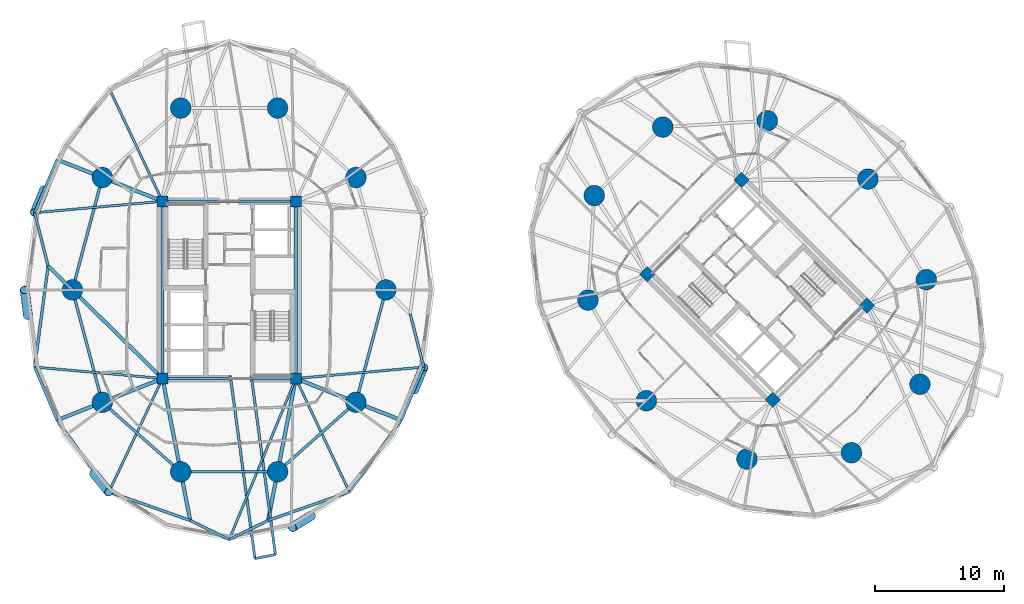
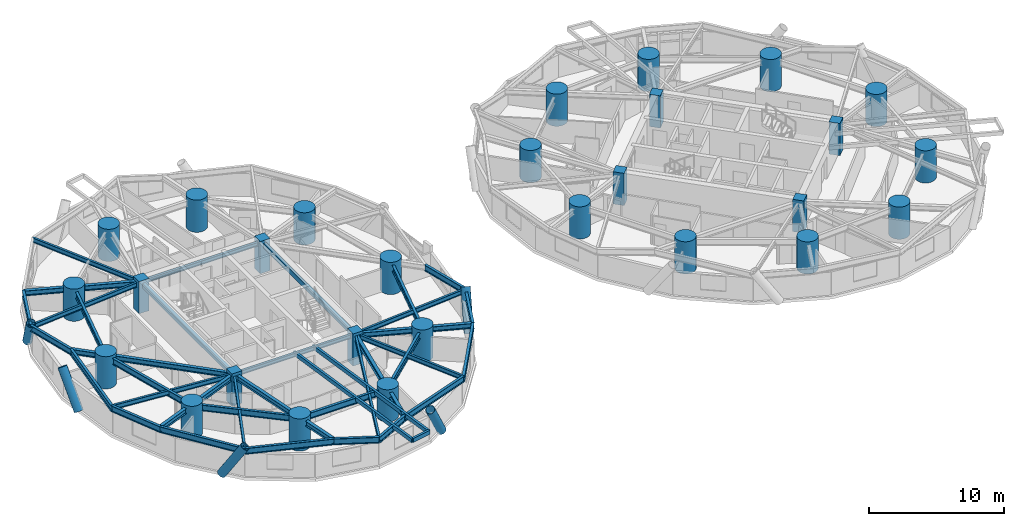
# One storey, part 1 of 18: 39 beams, 28 columns, 5 members.
"""IFC4 building model written with IfcOpenShell, lengths in metres."""

from ifc_helpers import new_model, si_unit, direction, frame, origin, origin_2d, place, context, subcontext, project, spatial, rectangle, hollow_rectangle, circle, hollow_circle, i_section, extrude, material, material_profile, profile_set, type_object, element, save


model = new_model("IFC4")

# Units and contexts
model_context = context("Model", 3, precision=1e-05, world=origin(), true_north=direction((0.0, 1.0)))
body_context = subcontext(model_context, "Body", "Model", "MODEL_VIEW")
ifc_project = project(units=[si_unit("LENGTHUNIT", "METRE"), si_unit("AREAUNIT", "SQUARE_METRE"), si_unit("VOLUMEUNIT", "CUBIC_METRE"), si_unit("PLANEANGLEUNIT", "RADIAN"), si_unit("MASSUNIT", "GRAM", prefix="KILO")], contexts=[model_context])

# Site, building, storey
site_placement = place(None, origin())
site = spatial("IfcSite", under=ifc_project, at=site_placement, CompositionType="ELEMENT")
building_placement = place(site_placement, origin())
building = spatial("IfcBuilding", under=site, at=building_placement, Name="Cununo Teusaquillo Station Towers", CompositionType="ELEMENT")
storey_placement = place(building_placement, frame((0.0, 0.0, 54.010009765625)))
storey = spatial("IfcBuildingStorey", under=building, at=storey_placement, Name="L16", CompositionType="ELEMENT", Elevation=54.010009765625)

# Columns
ifc_material_1 = material(Name="Concrete C50/60", Category="concrete")
ifc_material_profile_1 = material_profile(ifc_material_1, rectangle(XDim=0.85009765625, YDim=0.85009765625, at=origin_2d()), Name="RC-RECT-850x850")
ifc_profile_set_1 = profile_set([ifc_material_profile_1], Name="Concrete C50/60")
column_type_1 = type_object("IfcColumnType", Name="COL-CORE-Z1", PredefinedType="COLUMN", material=ifc_profile_set_1)
for number, where, z_axis, x_axis, name in (
    (1, (11.324951171875, 17.6201171875, 0.0), (0.0, 0.0, 1.0), (1.0, 0.0, 0.0), "L16 Tower A Core Column 1"),
    (2, (11.324951171875, 31.3798828125, 0.0), (0.0, 0.0, 1.0), (1.0, 0.0, 0.0), "L16 Tower A Core Column 2"),
    (3, (21.675048828125, 17.6201171875, 0.0), (0.0, 0.0, 1.0), (1.0, 0.0, 0.0), "L16 Tower A Core Column 3"),
    (4, (21.675048828125, 31.3798828125, 0.0), (0.0, 0.0, 1.0), (1.0, 0.0, 0.0), "L16 Tower A Core Column 4"),
    (5, (58.70556640625, 15.975830078125, 0.0), (0.0, 0.0, 1.0), (0.707106781187, 0.707106781187, 0.0), "L16 Tower B Core Column 1"),
    (6, (48.975830078125, 25.70556640625, 0.0), (0.0, 0.0, 1.0), (0.707106781187, 0.707106781187, 0.0), "L16 Tower B Core Column 2"),
    (7, (66.024169921875, 23.29443359375, 0.0), (0.0, 0.0, 1.0), (0.707106781187, 0.707106781187, 0.0), "L16 Tower B Core Column 3"),
    (8, (56.29443359375, 33.024169921875, 0.0), (0.0, 0.0, 1.0), (0.707106781187, 0.707106781187, 0.0), "L16 Tower B Core Column 4"),
):
    element("IfcColumn", number, at=place(storey_placement, frame(where, z_axis=z_axis, x_axis=x_axis)), inside=storey, type_object=column_type_1, Name=name, PredefinedType="COLUMN", context=body_context, shape_type="SweptSolid", body=[
        extrude(rectangle(XDim=0.85009765625, YDim=0.85009765625, at=origin_2d()), origin(), (0.0, 0.0, 1.0), 2.909912109375),
    ])
ifc_material_2 = material(Name="Concrete C60/75", Category="concrete")
ifc_material_profile_2 = material_profile(ifc_material_2, circle(Radius=0.800048828125, at=origin_2d()), Name="RC-CIRC-1600")
ifc_profile_set_2 = profile_set([ifc_material_profile_2], Name="Concrete C60/75")
column_type_2 = type_object("IfcColumnType", Name="COL-MEGA-Z1", PredefinedType="USERDEFINED", material=ifc_profile_set_2)
for number, where, z_axis, x_axis, name in (
    (9, (28.672119140625, 24.5, 0.0), (0.0, 0.0, 1.0), (1.0, 0.0, 0.0), "L16 Tower A Perimeter Column V00"),
    (10, (26.347412109375, 33.228515625, 0.0), (0.0, 0.0, 1.0), (1.0, 0.0, 0.0), "L16 Tower A Perimeter Column V02"),
    (11, (20.261474609375, 38.623291015625, 0.0), (0.0, 0.0, 1.0), (1.0, 0.0, 0.0), "L16 Tower A Perimeter Column V04"),
    (12, (12.738525390625, 38.623291015625, 0.0), (0.0, 0.0, 1.0), (1.0, 0.0, 0.0), "L16 Tower A Perimeter Column V06"),
    (13, (6.652587890625, 33.228515625, 0.0), (0.0, 0.0, 1.0), (1.0, 0.0, 0.0), "L16 Tower A Perimeter Column V08"),
    (14, (4.327880859375, 24.5, 0.0), (0.0, 0.0, 1.0), (1.0, 0.0, 0.0), "L16 Tower A Perimeter Column V10"),
    (15, (6.652587890625, 15.771484375, 0.0), (0.0, 0.0, 1.0), (1.0, 0.0, 0.0), "L16 Tower A Perimeter Column V12"),
    (16, (12.738525390625, 10.376708984375, 0.0), (0.0, 0.0, 1.0), (1.0, 0.0, 0.0), "L16 Tower A Perimeter Column V14"),
    (17, (20.261474609375, 10.376708984375, 0.0), (0.0, 0.0, 1.0), (1.0, 0.0, 0.0), "L16 Tower A Perimeter Column V16"),
    (18, (26.347412109375, 15.771484375, 0.0), (0.0, 0.0, 1.0), (1.0, 0.0, 0.0), "L16 Tower A Perimeter Column V18"),
    (19, (66.10693359375, 33.10693359375, 0.0), (0.0, 0.0, 1.0), (1.0, 0.0, 0.0), "L16 Tower B Perimeter Column V00"),
    (20, (58.291015625, 37.63525390625, 0.0), (0.0, 0.0, 1.0), (1.0, 0.0, 0.0), "L16 Tower B Perimeter Column V02"),
    (21, (50.173095703125, 37.146240234375, 0.0), (0.0, 0.0, 1.0), (1.0, 0.0, 0.0), "L16 Tower B Perimeter Column V04"),
    (22, (44.853759765625, 31.826904296875, 0.0), (0.0, 0.0, 1.0), (1.0, 0.0, 0.0), "L16 Tower B Perimeter Column V06"),
    (23, (44.36474609375, 23.708984375, 0.0), (0.0, 0.0, 1.0), (1.0, 0.0, 0.0), "L16 Tower B Perimeter Column V08"),
    (24, (48.89306640625, 15.89306640625, 0.0), (0.0, 0.0, 1.0), (1.0, 0.0, 0.0), "L16 Tower B Perimeter Column V10"),
    (25, (56.708984375, 11.36474609375, 0.0), (0.0, 0.0, 1.0), (1.0, 0.0, 0.0), "L16 Tower B Perimeter Column V12"),
    (26, (64.826904296875, 11.853759765625, 0.0), (0.0, 0.0, 1.0), (1.0, 0.0, 0.0), "L16 Tower B Perimeter Column V14"),
    (27, (70.146240234375, 17.173095703125, 0.0), (0.0, 0.0, 1.0), (1.0, 0.0, 0.0), "L16 Tower B Perimeter Column V16"),
    (28, (70.63525390625, 25.291015625, 0.0), (0.0, 0.0, 1.0), (1.0, 0.0, 0.0), "L16 Tower B Perimeter Column V18"),
):
    element("IfcColumn", number, at=place(storey_placement, frame(where, z_axis=z_axis, x_axis=x_axis)), inside=storey, type_object=column_type_2, Name=name, ObjectType="MEGA COLUMN", PredefinedType="USERDEFINED", context=body_context, shape_type="SweptSolid", body=[
        extrude(circle(Radius=0.800048828125, at=origin_2d()), origin(), (0.0, 0.0, 1.0), 2.909912109375),
    ])

# Beams
ifc_material_3 = material(Name="Steel EN 10025-2 S355J2", Category="steel")
ifc_material_profile_3 = material_profile(ifc_material_3, hollow_rectangle(XDim=0.199951171875, YDim=0.35009765625, WallThickness=0.013916015625, at=origin_2d()), Name="RHS 350x200x14")
ifc_profile_set_3 = profile_set([ifc_material_profile_3], Name="Steel EN 10025-2 S355J2")
beam_type_1 = type_object("IfcBeamType", Name="BM-BAL-CANT", PredefinedType="BEAM", material=ifc_profile_set_3)
beam_1_placement = place(storey_placement, frame((16.584716796875, 17.85009765625, 2.47509765625), z_axis=(0.133924221821, -0.990991575549, 0.0), x_axis=(0.990991575549, 0.133924221821, 0.0)))
element("IfcBeam", 29, at=beam_1_placement, inside=storey, type_object=beam_type_1, Name="L16 Tower A Balcony Cantilever Bracket 2A", PredefinedType="BEAM", context=body_context, shape_type="SweptSolid", body=[
    extrude(hollow_rectangle(XDim=0.199951171875, YDim=0.35009765625, WallThickness=0.013916015625, at=origin_2d()), origin(), (0.0, 0.0, 1.0), 14.34130859375),
])
beam_2_placement = place(storey_placement, frame((18.21240234375, 17.85009765625, 2.47509765625), z_axis=(0.133936830088, -0.990989871566, 0.0), x_axis=(0.990989871566, 0.133936830088, 0.0)))
element("IfcBeam", 30, at=beam_2_placement, inside=storey, type_object=beam_type_1, Name="L16 Tower A Balcony Cantilever Bracket 2B", PredefinedType="BEAM", context=body_context, shape_type="SweptSolid", body=[
    extrude(hollow_rectangle(XDim=0.199951171875, YDim=0.35009765625, WallThickness=0.013916015625, at=origin_2d()), origin(), (0.0, 0.0, 1.0), 14.031982421875),
])
ifc_material_4 = material(Name="Steel EN 10025-2 S355J2", Category="steel")
ifc_material_profile_4 = material_profile(ifc_material_4, hollow_rectangle(XDim=0.25, YDim=0.449951171875, WallThickness=0.01611328125, at=origin_2d()), Name="RHS 450x250x16")
ifc_profile_set_4 = profile_set([ifc_material_profile_4], Name="Steel EN 10025-2 S355J2")
beam_type_2 = type_object("IfcBeamType", Name="BM-COUP-1", PredefinedType="USERDEFINED", material=ifc_profile_set_4)
for number, where, z_axis, x_axis, name in (
    (31, (11.324951171875, 17.6201171875, 2.425048828125), (0.0, 1.0, 0.0), (-1.0, 0.0, 0.0), "L16 Tower A Core Beam 1"),
    (32, (21.675048828125, 17.6201171875, 2.425048828125), (0.0, 1.0, 0.0), (-1.0, 0.0, 0.0), "L16 Tower A Core Beam 2"),
):
    element("IfcBeam", number, at=place(storey_placement, frame(where, z_axis=z_axis, x_axis=x_axis)), inside=storey, type_object=beam_type_2, Name=name, ObjectType="COUPLING BEAM", PredefinedType="USERDEFINED", context=body_context, shape_type="SweptSolid", body=[
        extrude(hollow_rectangle(XDim=0.25, YDim=0.449951171875, WallThickness=0.01611328125, at=origin_2d()), origin(), (0.0, 0.0, 1.0), 13.759765625),
    ])
ifc_material_5 = material(Name="Steel ASTM A572 Grade 50", Category="steel")
ifc_material_profile_5 = material_profile(ifc_material_5, i_section(OverallWidth=0.180908203125, OverallDepth=0.4169921875, WebThickness=0.010986328125, FlangeThickness=0.018310546875, FilletRadius=0.012939453125, at=origin_2d()), Name="W16X57")
ifc_profile_set_5 = profile_set([ifc_material_profile_5], Name="Steel ASTM A572 Grade 50")
beam_type_3 = type_object("IfcBeamType", Name="BM-JOIST-1", PredefinedType="JOIST", material=ifc_profile_set_5)
beam_3_placement = place(storey_placement, frame((11.324951171875, 31.3798828125, 2.44140625), z_axis=(-0.427160580437, 0.904175778552, 0.0), x_axis=(-0.904175778552, -0.427160580437, 0.0)))
element("IfcBeam", 33, at=beam_3_placement, inside=storey, type_object=beam_type_3, Name="L16 Tower A Radial Spandrel Joist V07", PredefinedType="JOIST", context=body_context, shape_type="SweptSolid", body=[
    extrude(i_section(OverallWidth=0.180908203125, OverallDepth=0.4169921875, WebThickness=0.010986328125, FlangeThickness=0.018310546875, FilletRadius=0.012939453125, at=origin_2d()), origin(), (0.0, 0.0, 1.0), 9.740234375),
])
for number, where, z_axis, x_axis, name in (
    (34, (11.324951171875, 31.3798828125, 2.44140625), (-0.996024214913, -0.089082901314, 0.0), (0.089082901314, -0.996024214913, 0.0), "L16 Tower A Radial Spandrel Joist V09"),
    (35, (11.324951171875, 17.6201171875, 2.44140625), (-0.996024214913, 0.089082901314, 0.0), (-0.089082901314, -0.996024214913, 0.0), "L16 Tower A Radial Spandrel Joist V11"),
):
    element("IfcBeam", number, at=place(storey_placement, frame(where, z_axis=z_axis, x_axis=x_axis)), inside=storey, type_object=beam_type_3, Name=name, PredefinedType="JOIST", context=body_context, shape_type="SweptSolid", body=[
        extrude(i_section(OverallWidth=0.180908203125, OverallDepth=0.4169921875, WebThickness=0.010986328125, FlangeThickness=0.018310546875, FilletRadius=0.012939453125, at=origin_2d()), origin(), (0.0, 0.0, 1.0), 9.97021484375),
    ])
beam_4_placement = place(storey_placement, frame((11.324951171875, 17.6201171875, 2.44140625), z_axis=(-0.427160580437, -0.904175778552, 0.0), x_axis=(0.904175778552, -0.427160580437, 0.0)))
element("IfcBeam", 36, at=beam_4_placement, inside=storey, type_object=beam_type_3, Name="L16 Tower A Radial Spandrel Joist V13", PredefinedType="JOIST", context=body_context, shape_type="SweptSolid", body=[
    extrude(i_section(OverallWidth=0.180908203125, OverallDepth=0.4169921875, WebThickness=0.010986328125, FlangeThickness=0.018310546875, FilletRadius=0.012939453125, at=origin_2d()), origin(), (0.0, 0.0, 1.0), 9.740234375),
])
beam_5_placement = place(storey_placement, frame((21.675048828125, 17.6201171875, 2.44140625), z_axis=(-0.382256753081, -0.924056153447, 0.0), x_axis=(0.924056153447, -0.382256753081, 0.0)))
element("IfcBeam", 37, at=beam_5_placement, inside=storey, type_object=beam_type_3, Name="L16 Tower A Radial Spandrel Joist V15", PredefinedType="JOIST", context=body_context, shape_type="SweptSolid", body=[
    extrude(i_section(OverallWidth=0.180908203125, OverallDepth=0.4169921875, WebThickness=0.010986328125, FlangeThickness=0.018310546875, FilletRadius=0.012939453125, at=origin_2d()), origin(), (0.0, 0.0, 1.0), 13.5380859375),
])
beam_6_placement = place(storey_placement, frame((21.675048828125, 17.6201171875, 2.44140625), z_axis=(0.427160580437, -0.904175778552, 0.0), x_axis=(0.904175778552, 0.427160580437, 0.0)))
element("IfcBeam", 38, at=beam_6_placement, inside=storey, type_object=beam_type_3, Name="L16 Tower A Radial Spandrel Joist V17", PredefinedType="JOIST", context=body_context, shape_type="SweptSolid", body=[
    extrude(i_section(OverallWidth=0.180908203125, OverallDepth=0.4169921875, WebThickness=0.010986328125, FlangeThickness=0.018310546875, FilletRadius=0.012939453125, at=origin_2d()), origin(), (0.0, 0.0, 1.0), 9.740234375),
])
beam_7_placement = place(storey_placement, frame((21.675048828125, 17.6201171875, 2.44140625), z_axis=(0.996024214913, 0.089082901314, 0.0), x_axis=(-0.089082901314, 0.996024214913, 0.0)))
element("IfcBeam", 39, at=beam_7_placement, inside=storey, type_object=beam_type_3, Name="L16 Tower A Radial Spandrel Joist V19", PredefinedType="JOIST", context=body_context, shape_type="SweptSolid", body=[
    extrude(i_section(OverallWidth=0.180908203125, OverallDepth=0.4169921875, WebThickness=0.010986328125, FlangeThickness=0.018310546875, FilletRadius=0.012939453125, at=origin_2d()), origin(), (0.0, 0.0, 1.0), 9.97021484375),
])
ifc_material_6 = material(Name="Steel ASTM A572 Grade 50", Category="steel")
ifc_material_profile_6 = material_profile(ifc_material_6, i_section(OverallWidth=0.2041015625, OverallDepth=0.35009765625, WebThickness=0.008544921875, FlangeThickness=0.01513671875, FilletRadius=0.011962890625, at=origin_2d()), Name="W14X48")
ifc_profile_set_6 = profile_set([ifc_material_profile_6], Name="Steel ASTM A572 Grade 50")
beam_type_4 = type_object("IfcBeamType", Name="BM-LINTEL-1", PredefinedType="LINTEL", material=ifc_profile_set_6)
for number, where, z_axis, x_axis, name in (
    (40, (11.324951171875, 17.6201171875, 2.47509765625), (1.0, 0.0, 0.0), (0.0, 1.0, 0.0), "L16 Tower A Core Beam 3"),
    (41, (11.324951171875, 31.3798828125, 2.47509765625), (1.0, 0.0, 0.0), (0.0, 1.0, 0.0), "L16 Tower A Core Beam 4"),
):
    element("IfcBeam", number, at=place(storey_placement, frame(where, z_axis=z_axis, x_axis=x_axis)), inside=storey, type_object=beam_type_4, Name=name, PredefinedType="LINTEL", context=body_context, shape_type="SweptSolid", body=[
        extrude(i_section(OverallWidth=0.2041015625, OverallDepth=0.35009765625, WebThickness=0.008544921875, FlangeThickness=0.01513671875, FilletRadius=0.011962890625, at=origin_2d()), origin(), (0.0, 0.0, 1.0), 10.35009765625),
    ])
ifc_material_7 = material(Name="Steel ASTM A572 Grade 50", Category="steel")
ifc_material_profile_7 = material_profile(ifc_material_7, i_section(OverallWidth=0.280029296875, OverallDepth=0.462890625, WebThickness=0.0107421875, FlangeThickness=0.017333984375, FilletRadius=0.013916015625, at=origin_2d()), Name="W18X76")
ifc_profile_set_7 = profile_set([ifc_material_profile_7], Name="Steel ASTM A572 Grade 50")
beam_type_5 = type_object("IfcBeamType", Name="BM-RAD-G1", PredefinedType="BEAM", material=ifc_profile_set_7)
beam_8_placement = place(storey_placement, frame((11.324951171875, 31.3798828125, 2.41845703125), z_axis=(-0.929867137966, 0.367895509256, 0.0), x_axis=(-0.367895509256, -0.929867137966, 0.0)))
element("IfcBeam", 42, at=beam_8_placement, inside=storey, type_object=beam_type_5, Name="L16 Tower A Continuous Overhanging Radial Girder 05", PredefinedType="BEAM", context=body_context, shape_type="SweptSolid", body=[
    extrude(i_section(OverallWidth=0.280029296875, OverallDepth=0.462890625, WebThickness=0.0107421875, FlangeThickness=0.017333984375, FilletRadius=0.013916015625, at=origin_2d()), origin(), (0.0, 0.0, 1.0), 8.798095703125),
])
beam_9_placement = place(storey_placement, frame((11.324951171875, 17.6201171875, 2.41845703125), z_axis=(-0.713052701438, 0.701110437073, 0.0), x_axis=(-0.701110437073, -0.713052701438, 0.0)))
element("IfcBeam", 43, at=beam_9_placement, inside=storey, type_object=beam_type_5, Name="L16 Tower A Radial Girder 06A", PredefinedType="BEAM", context=body_context, shape_type="SweptSolid", body=[
    extrude(i_section(OverallWidth=0.280029296875, OverallDepth=0.462890625, WebThickness=0.0107421875, FlangeThickness=0.017333984375, FilletRadius=0.013916015625, at=origin_2d()), origin(), (0.0, 0.0, 1.0), 9.812744140625),
])
beam_10_placement = place(storey_placement, frame((4.327880859375, 24.5, 2.41845703125), z_axis=(-0.713032905062, 0.701130570079, 0.0), x_axis=(-0.701130570079, -0.713032905062, 0.0)))
element("IfcBeam", 44, at=beam_10_placement, inside=storey, type_object=beam_type_5, Name="L16 Tower A Perimeter Overhang Girder 06B", PredefinedType="BEAM", context=body_context, shape_type="SweptSolid", body=[
    extrude(i_section(OverallWidth=0.280029296875, OverallDepth=0.462890625, WebThickness=0.0107421875, FlangeThickness=0.017333984375, FilletRadius=0.013916015625, at=origin_2d()), origin(), (0.0, 0.0, 1.0), 2.64599609375),
])
beam_11_placement = place(storey_placement, frame((11.324951171875, 17.6201171875, 2.41845703125), z_axis=(-0.929867137966, -0.367895509256, 0.0), x_axis=(0.367895509256, -0.929867137966, 0.0)))
element("IfcBeam", 45, at=beam_11_placement, inside=storey, type_object=beam_type_5, Name="L16 Tower A Continuous Overhanging Radial Girder 07", PredefinedType="BEAM", context=body_context, shape_type="SweptSolid", body=[
    extrude(i_section(OverallWidth=0.280029296875, OverallDepth=0.462890625, WebThickness=0.0107421875, FlangeThickness=0.017333984375, FilletRadius=0.013916015625, at=origin_2d()), origin(), (0.0, 0.0, 1.0), 8.798095703125),
])
for number, where, z_axis, x_axis, name in (
    (46, (11.324951171875, 17.6201171875, 2.41845703125), (0.191552755713, -0.981482318628, 0.0), (0.981482318628, 0.191552755713, 0.0), "L16 Tower A Continuous Overhanging Radial Girder 08"),
    (47, (21.675048828125, 17.6201171875, 2.41845703125), (-0.191552755713, -0.981482318628, 0.0), (0.981482318628, -0.191552755713, 0.0), "L16 Tower A Continuous Overhanging Radial Girder 09"),
):
    element("IfcBeam", number, at=place(storey_placement, frame(where, z_axis=z_axis, x_axis=x_axis)), inside=storey, type_object=beam_type_5, Name=name, PredefinedType="BEAM", context=body_context, shape_type="SweptSolid", body=[
        extrude(i_section(OverallWidth=0.280029296875, OverallDepth=0.462890625, WebThickness=0.0107421875, FlangeThickness=0.017333984375, FilletRadius=0.013916015625, at=origin_2d()), origin(), (0.0, 0.0, 1.0), 11.22998046875),
    ])
beam_12_placement = place(storey_placement, frame((21.675048828125, 17.6201171875, 2.41845703125), z_axis=(0.929867137966, -0.367895509256, 0.0), x_axis=(0.367895509256, 0.929867137966, 0.0)))
element("IfcBeam", 48, at=beam_12_placement, inside=storey, type_object=beam_type_5, Name="L16 Tower A Continuous Overhanging Radial Girder 10", PredefinedType="BEAM", context=body_context, shape_type="SweptSolid", body=[
    extrude(i_section(OverallWidth=0.280029296875, OverallDepth=0.462890625, WebThickness=0.0107421875, FlangeThickness=0.017333984375, FilletRadius=0.013916015625, at=origin_2d()), origin(), (0.0, 0.0, 1.0), 8.798095703125),
])
ifc_material_8 = material(Name="Steel ASTM A572 Grade 50", Category="steel")
ifc_material_profile_8 = material_profile(ifc_material_8, i_section(OverallWidth=0.214111328125, OverallDepth=0.549072265625, WebThickness=0.0146484375, FlangeThickness=0.023681640625, FilletRadius=0.014892578125, at=origin_2d()), Name="W21X93")
ifc_profile_set_8 = profile_set([ifc_material_profile_8], Name="Steel ASTM A572 Grade 50")
beam_type_6 = type_object("IfcBeamType", Name="BM-RING-Z1", PredefinedType="SPANDREL", material=ifc_profile_set_8)
for number, where, z_axis, x_axis, name in (
    (49, (6.652587890625, 33.228515625, 2.37548828125), (-0.257363196347, -0.966314744359, 0.0), (0.966314744359, -0.257363196347, 0.0), "L16 Tower A Structural Column Ring Girder 05"),
    (50, (4.327880859375, 24.5, 2.37548828125), (0.257363196347, -0.966314744359, 0.0), (0.966314744359, 0.257363196347, 0.0), "L16 Tower A Structural Column Ring Girder 06"),
):
    element("IfcBeam", number, at=place(storey_placement, frame(where, z_axis=z_axis, x_axis=x_axis)), inside=storey, type_object=beam_type_6, Name=name, PredefinedType="SPANDREL", context=body_context, shape_type="SweptSolid", body=[
        extrude(i_section(OverallWidth=0.214111328125, OverallDepth=0.549072265625, WebThickness=0.0146484375, FlangeThickness=0.023681640625, FilletRadius=0.014892578125, at=origin_2d()), origin(), (0.0, 0.0, 1.0), 9.03271484375),
    ])
beam_13_placement = place(storey_placement, frame((6.652587890625, 15.771484375, 2.37548828125), z_axis=(0.74832120039, -0.66333655187, 0.0), x_axis=(0.66333655187, 0.74832120039, 0.0)))
element("IfcBeam", 51, at=beam_13_placement, inside=storey, type_object=beam_type_6, Name="L16 Tower A Structural Column Ring Girder 07", PredefinedType="SPANDREL", context=body_context, shape_type="SweptSolid", body=[
    extrude(i_section(OverallWidth=0.214111328125, OverallDepth=0.549072265625, WebThickness=0.0146484375, FlangeThickness=0.023681640625, FilletRadius=0.014892578125, at=origin_2d()), origin(), (0.0, 0.0, 1.0), 8.1328125),
])
beam_14_placement = place(storey_placement, frame((12.738525390625, 10.376708984375, 2.37548828125), z_axis=(1.0, 0.0, 0.0), x_axis=(0.0, 1.0, 0.0)))
element("IfcBeam", 52, at=beam_14_placement, inside=storey, type_object=beam_type_6, Name="L16 Tower A Structural Column Ring Girder 08", PredefinedType="SPANDREL", context=body_context, shape_type="SweptSolid", body=[
    extrude(i_section(OverallWidth=0.214111328125, OverallDepth=0.549072265625, WebThickness=0.0146484375, FlangeThickness=0.023681640625, FilletRadius=0.014892578125, at=origin_2d()), origin(), (0.0, 0.0, 1.0), 7.52294921875),
])
beam_15_placement = place(storey_placement, frame((20.261474609375, 10.376708984375, 2.37548828125), z_axis=(0.74832120039, 0.66333655187, 0.0), x_axis=(-0.66333655187, 0.74832120039, 0.0)))
element("IfcBeam", 53, at=beam_15_placement, inside=storey, type_object=beam_type_6, Name="L16 Tower A Structural Column Ring Girder 09", PredefinedType="SPANDREL", context=body_context, shape_type="SweptSolid", body=[
    extrude(i_section(OverallWidth=0.214111328125, OverallDepth=0.549072265625, WebThickness=0.0146484375, FlangeThickness=0.023681640625, FilletRadius=0.014892578125, at=origin_2d()), origin(), (0.0, 0.0, 1.0), 8.1328125),
])
beam_16_placement = place(storey_placement, frame((26.347412109375, 15.771484375, 2.37548828125), z_axis=(0.257363196347, 0.966314744359, 0.0), x_axis=(-0.966314744359, 0.257363196347, 0.0)))
element("IfcBeam", 54, at=beam_16_placement, inside=storey, type_object=beam_type_6, Name="L16 Tower A Structural Column Ring Girder 10", PredefinedType="SPANDREL", context=body_context, shape_type="SweptSolid", body=[
    extrude(i_section(OverallWidth=0.214111328125, OverallDepth=0.549072265625, WebThickness=0.0146484375, FlangeThickness=0.023681640625, FilletRadius=0.014892578125, at=origin_2d()), origin(), (0.0, 0.0, 1.0), 9.03271484375),
])
beam_17_placement = place(storey_placement, frame((3.143798828125, 34.61669921875, 2.37548828125), z_axis=(-0.390457491743, -0.920620957366, 0.0), x_axis=(0.920620957366, -0.390457491743, 0.0)))
element("IfcBeam", 55, at=beam_17_placement, inside=storey, type_object=beam_type_6, Name="L16 Tower A Spandrel Ring Beam 09", PredefinedType="SPANDREL", context=body_context, shape_type="SweptSolid", body=[
    extrude(i_section(OverallWidth=0.214111328125, OverallDepth=0.549072265625, WebThickness=0.0146484375, FlangeThickness=0.023681640625, FilletRadius=0.014892578125, at=origin_2d()), origin(), (0.0, 0.0, 1.0), 4.480712890625),
])
beam_18_placement = place(storey_placement, frame((1.394287109375, 30.49169921875, 2.37548828125), z_axis=(0.24534835638, -0.969434981843, 0.0), x_axis=(0.969434981843, 0.24534835638, 0.0)))
element("IfcBeam", 56, at=beam_18_placement, inside=storey, type_object=beam_type_6, Name="L16 Tower A Spandrel Ring Beam 10", PredefinedType="SPANDREL", context=body_context, shape_type="SweptSolid", body=[
    extrude(i_section(OverallWidth=0.214111328125, OverallDepth=0.549072265625, WebThickness=0.0146484375, FlangeThickness=0.023681640625, FilletRadius=0.014892578125, at=origin_2d()), origin(), (0.0, 0.0, 1.0), 4.266845703125),
])
beam_19_placement = place(storey_placement, frame((2.441162109375, 26.355224609375, 2.37548828125), z_axis=(-0.132240482179, -0.991217662712, 0.0), x_axis=(0.991217662712, -0.132240482179, 0.0)))
element("IfcBeam", 57, at=beam_19_placement, inside=storey, type_object=beam_type_6, Name="L16 Tower A Spandrel Ring Beam 11", PredefinedType="SPANDREL", context=body_context, shape_type="SweptSolid", body=[
    extrude(i_section(OverallWidth=0.214111328125, OverallDepth=0.549072265625, WebThickness=0.0146484375, FlangeThickness=0.023681640625, FilletRadius=0.014892578125, at=origin_2d()), origin(), (0.0, 0.0, 1.0), 7.91650390625),
])
beam_20_placement = place(storey_placement, frame((1.394287109375, 18.50830078125, 2.37548828125), z_axis=(0.390457491743, -0.920620957366, 0.0), x_axis=(0.920620957366, 0.390457491743, 0.0)))
element("IfcBeam", 58, at=beam_20_placement, inside=storey, type_object=beam_type_6, Name="L16 Tower A Spandrel Ring Beam 12", PredefinedType="SPANDREL", context=body_context, shape_type="SweptSolid", body=[
    extrude(i_section(OverallWidth=0.214111328125, OverallDepth=0.549072265625, WebThickness=0.0146484375, FlangeThickness=0.023681640625, FilletRadius=0.014892578125, at=origin_2d()), origin(), (0.0, 0.0, 1.0), 4.480712890625),
])
beam_21_placement = place(storey_placement, frame((3.143798828125, 14.38330078125, 2.37548828125), z_axis=(0.585268642749, -0.810839451319, 0.0), x_axis=(0.810839451319, 0.585268642749, 0.0)))
element("IfcBeam", 59, at=beam_21_placement, inside=storey, type_object=beam_type_6, Name="L16 Tower A Spandrel Ring Beam 13", PredefinedType="SPANDREL", context=body_context, shape_type="SweptSolid", body=[
    extrude(i_section(OverallWidth=0.214111328125, OverallDepth=0.549072265625, WebThickness=0.0146484375, FlangeThickness=0.023681640625, FilletRadius=0.014892578125, at=origin_2d()), origin(), (0.0, 0.0, 1.0), 6.86962890625),
])
beam_22_placement = place(storey_placement, frame((7.164306640625, 8.813232421875, 2.37548828125), z_axis=(0.943579776012, -0.33114529485, 0.0), x_axis=(0.33114529485, 0.943579776012, 0.0)))
element("IfcBeam", 60, at=beam_22_placement, inside=storey, type_object=beam_type_6, Name="L16 Tower A Spandrel Ring Beam 14", PredefinedType="SPANDREL", context=body_context, shape_type="SweptSolid", body=[
    extrude(i_section(OverallWidth=0.214111328125, OverallDepth=0.549072265625, WebThickness=0.0146484375, FlangeThickness=0.023681640625, FilletRadius=0.014892578125, at=origin_2d()), origin(), (0.0, 0.0, 1.0), 6.689208984375),
])
for number, where, z_axis, x_axis, name in (
    (61, (13.47607421875, 6.59814453125, 2.37548828125), (0.8972488299, -0.441525239645, 0.0), (0.441525239645, 0.8972488299, 0.0), "L16 Tower A Spandrel Ring Beam 15"),
    (62, (16.5, 5.110107421875, 2.37548828125), (0.8972488299, 0.441525239645, 0.0), (-0.441525239645, 0.8972488299, 0.0), "L16 Tower A Spandrel Ring Beam 16"),
):
    element("IfcBeam", number, at=place(storey_placement, frame(where, z_axis=z_axis, x_axis=x_axis)), inside=storey, type_object=beam_type_6, Name=name, PredefinedType="SPANDREL", context=body_context, shape_type="SweptSolid", body=[
        extrude(i_section(OverallWidth=0.214111328125, OverallDepth=0.549072265625, WebThickness=0.0146484375, FlangeThickness=0.023681640625, FilletRadius=0.014892578125, at=origin_2d()), origin(), (0.0, 0.0, 1.0), 3.3701171875),
    ])
beam_23_placement = place(storey_placement, frame((19.52392578125, 6.59814453125, 2.37548828125), z_axis=(0.943579776012, 0.33114529485, 0.0), x_axis=(-0.33114529485, 0.943579776012, 0.0)))
element("IfcBeam", 63, at=beam_23_placement, inside=storey, type_object=beam_type_6, Name="L16 Tower A Spandrel Ring Beam 17", PredefinedType="SPANDREL", context=body_context, shape_type="SweptSolid", body=[
    extrude(i_section(OverallWidth=0.214111328125, OverallDepth=0.549072265625, WebThickness=0.0146484375, FlangeThickness=0.023681640625, FilletRadius=0.014892578125, at=origin_2d()), origin(), (0.0, 0.0, 1.0), 6.689208984375),
])
beam_24_placement = place(storey_placement, frame((25.835693359375, 8.813232421875, 2.37548828125), z_axis=(0.585268642749, 0.810839451319, 0.0), x_axis=(-0.810839451319, 0.585268642749, 0.0)))
element("IfcBeam", 64, at=beam_24_placement, inside=storey, type_object=beam_type_6, Name="L16 Tower A Spandrel Ring Beam 18", PredefinedType="SPANDREL", context=body_context, shape_type="SweptSolid", body=[
    extrude(i_section(OverallWidth=0.214111328125, OverallDepth=0.549072265625, WebThickness=0.0146484375, FlangeThickness=0.023681640625, FilletRadius=0.014892578125, at=origin_2d()), origin(), (0.0, 0.0, 1.0), 6.86962890625),
])
beam_25_placement = place(storey_placement, frame((29.856201171875, 14.38330078125, 2.37548828125), z_axis=(0.390457491743, 0.920620957366, 0.0), x_axis=(-0.920620957366, 0.390457491743, 0.0)))
element("IfcBeam", 65, at=beam_25_placement, inside=storey, type_object=beam_type_6, Name="L16 Tower A Spandrel Ring Beam 19", PredefinedType="SPANDREL", context=body_context, shape_type="SweptSolid", body=[
    extrude(i_section(OverallWidth=0.214111328125, OverallDepth=0.549072265625, WebThickness=0.0146484375, FlangeThickness=0.023681640625, FilletRadius=0.014892578125, at=origin_2d()), origin(), (0.0, 0.0, 1.0), 4.480712890625),
])
beam_26_placement = place(storey_placement, frame((31.605712890625, 18.50830078125, 2.37548828125), z_axis=(-0.24534835638, 0.969434981843, 0.0), x_axis=(-0.969434981843, -0.24534835638, 0.0)))
element("IfcBeam", 66, at=beam_26_placement, inside=storey, type_object=beam_type_6, Name="L16 Tower A Spandrel Ring Beam 20", PredefinedType="SPANDREL", context=body_context, shape_type="SweptSolid", body=[
    extrude(i_section(OverallWidth=0.214111328125, OverallDepth=0.549072265625, WebThickness=0.0146484375, FlangeThickness=0.023681640625, FilletRadius=0.014892578125, at=origin_2d()), origin(), (0.0, 0.0, 1.0), 4.266845703125),
])
ifc_material_9 = material(Name="Steel EN 10025-2 S355J2", Category="steel")
ifc_material_profile_9 = material_profile(ifc_material_9, hollow_rectangle(XDim=0.199951171875, YDim=0.35009765625, WallThickness=0.013916015625, at=origin_2d()), Name="RHS 350x200x14")
ifc_profile_set_9 = profile_set([ifc_material_profile_9], Name="Steel EN 10025-2 S355J2")
beam_type_7 = type_object("IfcBeamType", Name="BM-STAIR-TRIM", PredefinedType="BEAM", material=ifc_profile_set_9)
beam_27_placement = place(storey_placement, frame((18.50537109375, 3.637939453125, 2.52490234375), z_axis=(0.981827104253, 0.189777599714, 0.0), x_axis=(-0.189777599714, 0.981827104253, 0.0)))
element("IfcBeam", 67, at=beam_27_placement, inside=storey, type_object=beam_type_7, Name="L16 Tower A Balcony Edge Trimmer Beam 2", PredefinedType="BEAM", context=body_context, shape_type="SweptSolid", body=[
    extrude(hollow_rectangle(XDim=0.199951171875, YDim=0.35009765625, WallThickness=0.013916015625, at=origin_2d()), origin(), (0.0, 0.0, 1.0), 1.61572265625),
])

# Members
ifc_material_10 = material(Name="Steel EN 10025-2 S355J2", Category="steel")
ifc_material_profile_10 = material_profile(ifc_material_10, hollow_circle(Radius=0.360107421875, WallThickness=0.028076171875, at=origin_2d()), Name="CHS 720x28")
ifc_profile_set_10 = profile_set([ifc_material_profile_10], Name="Steel EN 10025-2 S355J2")
member_type = type_object("IfcMemberType", Name="MBR-DIAG-Z1", PredefinedType="BRACE", material=ifc_profile_set_10)
member_1_placement = place(storey_placement, frame((2.146484375, 32.293701171875, -0.139892578125), z_axis=(-0.214645581537, -0.514215851129, 0.830366986804), x_axis=(0.922828895615, -0.385210110742, 0.0)))
element("IfcMember", 68, at=member_1_placement, inside=storey, type_object=member_type, Name="L16 Tower A Folded-Zigzag Diagrid Tube C08", PredefinedType="BRACE", context=body_context, shape_type="SweptSolid", body=[
    extrude(hollow_circle(Radius=0.360107421875, WallThickness=0.028076171875, at=origin_2d()), origin(), (0.0, 0.0, 1.0), 3.50439453125),
])
member_2_placement = place(storey_placement, frame((0.876220703125, 22.502685546875, -0.139892578125), z_axis=(-0.07326417821, 0.564382525361, 0.822255875782), x_axis=(-0.991679310017, -0.128732847725, 0.0)))
element("IfcMember", 69, at=member_2_placement, inside=storey, type_object=member_type, Name="L16 Tower A Folded-Zigzag Diagrid Tube C10", PredefinedType="BRACE", context=body_context, shape_type="SweptSolid", body=[
    extrude(hollow_circle(Radius=0.360107421875, WallThickness=0.028076171875, at=origin_2d()), origin(), (0.0, 0.0, 1.0), 3.538818359375),
])
member_3_placement = place(storey_placement, frame((5.992919921875, 10.2431640625, -0.139892578125), z_axis=(0.339790269287, -0.414787746398, 0.844093418015), x_axis=(0.77357465795, 0.633705174807, 0.0)))
element("IfcMember", 70, at=member_3_placement, inside=storey, type_object=member_type, Name="L16 Tower A Folded-Zigzag Diagrid Tube C12", PredefinedType="BRACE", context=body_context, shape_type="SweptSolid", body=[
    extrude(hollow_circle(Radius=0.360107421875, WallThickness=0.028076171875, at=origin_2d()), origin(), (0.0, 0.0, 1.0), 3.447265625),
])
member_4_placement = place(storey_placement, frame((22.884033203125, 6.97705078125, -0.139892578125), z_axis=(-0.435419540414, -0.270831674435, 0.858522002018), x_axis=(0.528166860975, -0.849140604946, 0.0)))
element("IfcMember", 71, at=member_4_placement, inside=storey, type_object=member_type, Name="L16 Tower A Folded-Zigzag Diagrid Tube C16", PredefinedType="BRACE", context=body_context, shape_type="SweptSolid", body=[
    extrude(hollow_circle(Radius=0.360107421875, WallThickness=0.028076171875, at=origin_2d()), origin(), (0.0, 0.0, 1.0), 3.389404296875),
])
member_5_placement = place(storey_placement, frame((30.853515625, 16.706298828125, -0.139892578125), z_axis=(0.214645581537, 0.514215851129, 0.830366986804), x_axis=(-0.922828895615, 0.385210110742, 0.0)))
element("IfcMember", 72, at=member_5_placement, inside=storey, type_object=member_type, Name="L16 Tower A Folded-Zigzag Diagrid Tube C18", PredefinedType="BRACE", context=body_context, shape_type="SweptSolid", body=[
    extrude(hollow_circle(Radius=0.360107421875, WallThickness=0.028076171875, at=origin_2d()), origin(), (0.0, 0.0, 1.0), 3.50439453125),
])

save(model, "model.ifc")
